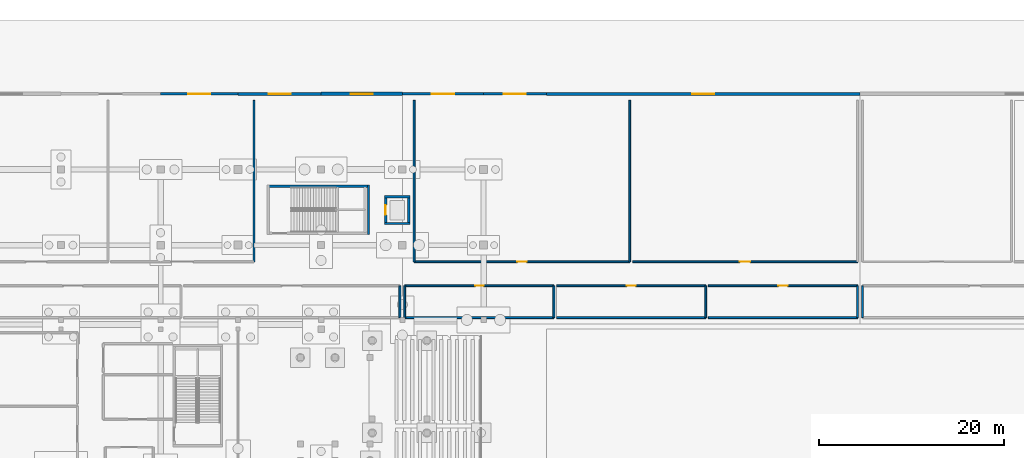
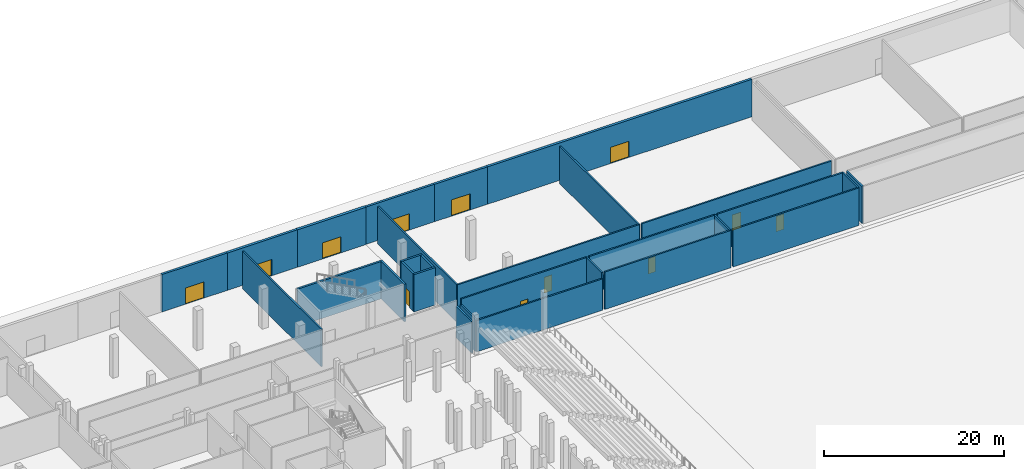
# One storey, part 47 of 89: 29 walls, 12 doors, 12 openings.
"""IFC4 building model written with IfcOpenShell, lengths in metres."""

from ifc_helpers import new_model, si_unit, direction, frame, frame_2d, origin, place, context, subcontext, project, spatial, rectangle, extrude, material, layer, layer_set, type_object, element, fill, save


model = new_model("IFC4")

# Units and contexts
model_context = context("Model", 3, precision=1e-05, world=origin(), true_north=direction((0.0, 1.0)))
body_context = subcontext(model_context, "Body", "Model", "MODEL_VIEW")
ifc_project = project(units=[si_unit("LENGTHUNIT", "METRE"), si_unit("AREAUNIT", "SQUARE_METRE"), si_unit("VOLUMEUNIT", "CUBIC_METRE"), si_unit("PLANEANGLEUNIT", "RADIAN"), si_unit("MASSUNIT", "GRAM", prefix="KILO")], contexts=[model_context])

# Site, building, storey
site_placement = place(None, origin())
site = spatial("IfcSite", under=ifc_project, at=site_placement, CompositionType="ELEMENT")
building_placement = place(site_placement, origin())
building = spatial("IfcBuilding", under=site, at=building_placement, Name="Koshinbarg Plaza Stadium", CompositionType="ELEMENT")
storey_placement = place(building_placement, origin())
storey = spatial("IfcBuildingStorey", under=building, at=storey_placement, Name="L00", CompositionType="ELEMENT", Elevation=0.0)

# Walls
ifc_material_1 = material(Name="Concrete C40/50", Category="concrete")
ifc_layer_1 = layer(ifc_material_1, 0.25)
ifc_layer_set_1 = layer_set([ifc_layer_1], Name="Concrete C40/50")
wall_type_1 = type_object("IfcWallType", Name="WL-CORE-250", PredefinedType="SHEAR", material=ifc_layer_set_1)
wall_1_placement = place(storey_placement, frame((68.72509765625, 136.75, 0.0), z_axis=(0.0, 0.0, 1.0), x_axis=(0.0, 1.0, 0.0)))
element("IfcWall", 1, at=wall_1_placement, inside=storey, type_object=wall_type_1, Name="L00 core stair shear wall C11-far IWL-L00-0259", PredefinedType="SHEAR", context=body_context, shape_type="SweptSolid", body=[
    extrude(rectangle(XDim=5.3701171875, YDim=0.25, at=frame_2d((2.68505859375, 0.0))), origin(), (0.0, 0.0, 1.0), 5.080078125),
])
wall_2_placement = place(storey_placement, frame((57.875, 141.9951171875, 0.0), z_axis=(0.0, 0.0, 1.0), x_axis=(1.0, 0.0, 0.0)))
element("IfcWall", 2, at=wall_2_placement, inside=storey, type_object=wall_type_1, Name="L00 core stair shear wall C11-left IWL-L00-0260", PredefinedType="SHEAR", context=body_context, shape_type="SweptSolid", body=[
    extrude(rectangle(XDim=10.85009765625, YDim=0.25, at=frame_2d((5.425048828125, 0.0))), origin(), (0.0, 0.0, 1.0), 5.080078125),
])
for number, where, z_axis, x_axis, name in (
    (3, (70.47509765625, 137.949951171875, 0.0), (0.0, 0.0, 1.0), (1.0, 0.0, 0.0), "L00 lift shaft shear wall LP07-S IWL-L00-0958"),
    (4, (73.22509765625, 140.85009765625, 0.0), (0.0, 0.0, 1.0), (-1.0, 0.0, 0.0), "L00 lift shaft shear wall LP07-N IWL-L00-0959"),
):
    element("IfcWall", number, at=place(storey_placement, frame(where, z_axis=z_axis, x_axis=x_axis)), inside=storey, type_object=wall_type_1, Name=name, PredefinedType="SHEAR", context=body_context, shape_type="SweptSolid", body=[
        extrude(rectangle(XDim=2.75, YDim=0.25, at=frame_2d((1.375, 0.0))), origin(), (0.0, 0.0, 1.0), 5.080078125),
    ])

# Wall, opening, door
wall_3_placement = place(storey_placement, frame((70.60009765625, 140.85009765625, 0.0), z_axis=(0.0, 0.0, 1.0), x_axis=(0.0, -1.0, 0.0)))
wall_3 = element("IfcWall", 5, at=wall_3_placement, inside=storey, type_object=wall_type_1, Name="L00 lift shaft shear wall LP07-W IWL-L00-0960", PredefinedType="SHEAR", context=body_context, shape_type="SweptSolid", body=[
    extrude(rectangle(XDim=2.900146484375, YDim=0.25, at=frame_2d((1.4501953125, 0.0))), origin(), (0.0, 0.0, 1.0), 5.080078125),
])
opening_1_placement = place(wall_3_placement, frame((0.925048828125, 0.0, 0.0)))
opening_1 = element("IfcOpeningElement", 6, at=opening_1_placement, cuts=wall_3, Name="Opening D-0309", PredefinedType="OPENING", context=body_context, shape_type="SweptSolid", body=[
    extrude(rectangle(XDim=1.050048828125, YDim=2.14990234375, at=frame_2d((0.52490234375, 1.074951171875))), frame((0.0, 0.135009765625, 0.0), z_axis=(0.0, -1.0, 0.0), x_axis=(1.0, 0.0, 0.0)), (0.0, 0.0, 1.0), 0.27001953125),
])
ifc_material_2 = material(Name="Brushed stainless steel sliding lift landing door", Category="steel")
door_type_1 = type_object("IfcDoorType", Name="DR-LIFT-1050", OperationType="NOTDEFINED", PredefinedType="DOOR", material=ifc_material_2)
door_1_placement = place(opening_1_placement, origin())
door_1 = element("IfcDoor", 7, at=door_1_placement, inside=storey, type_object=door_type_1, Name="L00 lift landing door LP07", OperationType="SLIDING_TO_RIGHT", OverallHeight=2.14990234375, OverallWidth=1.050048828125, PredefinedType="DOOR", context=body_context, shape_type="SweptSolid", body=[
    extrude(rectangle(XDim=1.050048828125, YDim=2.14990234375, at=frame_2d((0.52490234375, 1.074951171875))), frame((0.0, 0.02490234375, 0.0), z_axis=(0.0, -1.0, 0.0), x_axis=(1.0, 0.0, 0.0)), (0.0, 0.0, 1.0), 0.050048828125),
])
fill(opening_1, door_1)

# Wall
wall_4_placement = place(storey_placement, frame((73.10009765625, 137.949951171875, 0.0), z_axis=(0.0, 0.0, 1.0), x_axis=(0.0, 1.0, 0.0)))
element("IfcWall", 8, at=wall_4_placement, inside=storey, type_object=wall_type_1, Name="L00 lift shaft shear wall LP07-E IWL-L00-0961", PredefinedType="SHEAR", context=body_context, shape_type="SweptSolid", body=[
    extrude(rectangle(XDim=2.900146484375, YDim=0.25, at=frame_2d((1.4501953125, 0.0))), origin(), (0.0, 0.0, 1.0), 5.080078125),
])

# Wall, opening, door
ifc_material_3 = material(Name="Terracotta-ochre mineral plaster insulated wall", Category="masonry")
ifc_layer_2 = layer(ifc_material_3, 0.280029296875)
ifc_layer_set_2 = layer_set([ifc_layer_2], Name="Terracotta-ochre mineral plaster insulated wall")
wall_type_2 = type_object("IfcWallType", Name="WL-EXT-280", PredefinedType="SOLIDWALL", material=ifc_layer_set_2)
wall_5_placement = place(storey_placement, frame((72.39990234375, 152.0, 0.0), z_axis=(0.0, 0.0, 1.0), x_axis=(1.0, 0.0, 0.0)))
wall_5 = element("IfcWall", 9, at=wall_5_placement, inside=storey, type_object=wall_type_2, Name="L00 exterior envelope wall EWL-L00-0024", PredefinedType="SOLIDWALL", context=body_context, shape_type="SweptSolid", body=[
    extrude(rectangle(XDim=8.800048828125, YDim=0.280029296875, at=frame_2d((4.39990234375, 0.0))), origin(), (0.0, 0.0, 1.0), 5.080078125),
])
opening_2_placement = place(wall_5_placement, frame((3.199951171875, 0.0, 0.0)))
opening_2 = element("IfcOpeningElement", 10, at=opening_2_placement, cuts=wall_5, Name="Opening D-0025", PredefinedType="OPENING", context=body_context, shape_type="SweptSolid", body=[
    extrude(rectangle(XDim=2.39990234375, YDim=2.199951171875, at=frame_2d((1.199951171875, 1.10009765625))), frame((0.0, 0.14990234375, 0.0), z_axis=(0.0, -1.0, 0.0), x_axis=(1.0, 0.0, 0.0)), (0.0, 0.0, 1.0), 0.300048828125),
])
ifc_material_4 = material(Name="Anodised aluminium thermally broken exit door", Category="aluminium")
door_type_2 = type_object("IfcDoorType", Name="DR-EXIT-2400", OperationType="NOTDEFINED", PredefinedType="DOOR", material=ifc_material_4)
door_2_placement = place(opening_2_placement, origin())
door_2 = element("IfcDoor", 11, at=door_2_placement, inside=storey, type_object=door_type_2, Name="Main exit E24", OperationType="DOUBLE_DOOR_SINGLE_SWING", OverallHeight=2.199951171875, OverallWidth=2.39990234375, PredefinedType="DOOR", context=body_context, shape_type="SweptSolid", body=[
    extrude(rectangle(XDim=2.39990234375, YDim=2.199951171875, at=frame_2d((1.199951171875, 1.10009765625))), frame((0.0, 0.02490234375, 0.0), z_axis=(0.0, -1.0, 0.0), x_axis=(1.0, 0.0, 0.0)), (0.0, 0.0, 1.0), 0.050048828125),
])
fill(opening_2, door_2)

ifc_material_5 = material(Name="Off-white mineral plaster insulated wall", Category="masonry")
ifc_layer_3 = layer(ifc_material_5, 0.300048828125)
ifc_layer_set_3 = layer_set([ifc_layer_3], Name="Off-white mineral plaster insulated wall")
wall_type_3 = type_object("IfcWallType", Name="WL-EXT-300", PredefinedType="SOLIDWALL", material=ifc_layer_set_3)
wall_6_placement = place(storey_placement, frame((46.199951171875, 152.0, 0.0), z_axis=(0.0, 0.0, 1.0), x_axis=(1.0, 0.0, 0.0)))
wall_6 = element("IfcWall", 12, at=wall_6_placement, inside=storey, type_object=wall_type_3, Name="L00 exterior envelope wall EWL-L00-0021", PredefinedType="SOLIDWALL", context=body_context, shape_type="SweptSolid", body=[
    extrude(rectangle(XDim=8.400146484375, YDim=0.300048828125, at=frame_2d((4.2001953125, 0.0))), origin(), (0.0, 0.0, 1.0), 5.080078125),
])
opening_3_placement = place(wall_6_placement, frame((3.0, 0.0, 0.0)))
opening_3 = element("IfcOpeningElement", 13, at=opening_3_placement, cuts=wall_6, Name="Opening D-0022", PredefinedType="OPENING", context=body_context, shape_type="SweptSolid", body=[
    extrude(rectangle(XDim=2.39990234375, YDim=2.199951171875, at=frame_2d((1.199951171875, 1.10009765625))), frame((0.0, 0.159912109375, 0.0), z_axis=(0.0, -1.0, 0.0), x_axis=(1.0, 0.0, 0.0)), (0.0, 0.0, 1.0), 0.320068359375),
])
door_3_placement = place(opening_3_placement, origin())
door_3 = element("IfcDoor", 14, at=door_3_placement, inside=storey, type_object=door_type_2, Name="Main exit E21", OperationType="DOUBLE_DOOR_SINGLE_SWING", OverallHeight=2.199951171875, OverallWidth=2.39990234375, PredefinedType="DOOR", context=body_context, shape_type="SweptSolid", body=[
    extrude(rectangle(XDim=2.39990234375, YDim=2.199951171875, at=frame_2d((1.199951171875, 1.10009765625))), frame((0.0, 0.02490234375, 0.0), z_axis=(0.0, -1.0, 0.0), x_axis=(1.0, 0.0, 0.0)), (0.0, 0.0, 1.0), 0.050048828125),
])
fill(opening_3, door_3)

wall_7_placement = place(storey_placement, frame((81.199951171875, 152.0, 0.0), z_axis=(0.0, 0.0, 1.0), x_axis=(1.0, 0.0, 0.0)))
wall_7 = element("IfcWall", 15, at=wall_7_placement, inside=storey, type_object=wall_type_3, Name="L00 exterior envelope wall EWL-L00-0025", PredefinedType="SOLIDWALL", context=body_context, shape_type="SweptSolid", body=[
    extrude(rectangle(XDim=6.800048828125, YDim=0.300048828125, at=frame_2d((3.39990234375, 0.0))), origin(), (0.0, 0.0, 1.0), 5.080078125),
])
opening_4_placement = place(wall_7_placement, frame((2.199951171875, 0.0, 0.0)))
opening_4 = element("IfcOpeningElement", 16, at=opening_4_placement, cuts=wall_7, Name="Opening D-0026", PredefinedType="OPENING", context=body_context, shape_type="SweptSolid", body=[
    extrude(rectangle(XDim=2.39990234375, YDim=2.199951171875, at=frame_2d((1.199951171875, 1.10009765625))), frame((0.0, 0.159912109375, 0.0), z_axis=(0.0, -1.0, 0.0), x_axis=(1.0, 0.0, 0.0)), (0.0, 0.0, 1.0), 0.320068359375),
])
door_4_placement = place(opening_4_placement, origin())
door_4 = element("IfcDoor", 17, at=door_4_placement, inside=storey, type_object=door_type_2, Name="Main exit E25", OperationType="DOUBLE_DOOR_SINGLE_SWING", OverallHeight=2.199951171875, OverallWidth=2.39990234375, PredefinedType="DOOR", context=body_context, shape_type="SweptSolid", body=[
    extrude(rectangle(XDim=2.39990234375, YDim=2.199951171875, at=frame_2d((1.199951171875, 1.10009765625))), frame((0.0, 0.02490234375, 0.0), z_axis=(0.0, -1.0, 0.0), x_axis=(1.0, 0.0, 0.0)), (0.0, 0.0, 1.0), 0.050048828125),
])
fill(opening_4, door_4)

ifc_material_6 = material(Name="Ultramarine-blue pigmented mineral plaster facade wall", Category="masonry")
ifc_layer_4 = layer(ifc_material_6, 0.320068359375)
ifc_layer_set_4 = layer_set([ifc_layer_4], Name="Ultramarine-blue pigmented mineral plaster facade wall")
wall_type_4 = type_object("IfcWallType", Name="WL-EXT-320", PredefinedType="SOLIDWALL", material=ifc_layer_set_4)
wall_8_placement = place(storey_placement, frame((54.60009765625, 152.0, 0.0), z_axis=(0.0, 0.0, 1.0), x_axis=(1.0, 0.0, 0.0)))
wall_8 = element("IfcWall", 18, at=wall_8_placement, inside=storey, type_object=wall_type_4, Name="L00 exterior envelope wall EWL-L00-0022", PredefinedType="SOLIDWALL", context=body_context, shape_type="SweptSolid", body=[
    extrude(rectangle(XDim=9.0, YDim=0.320068359375, at=frame_2d((4.5, 0.0))), origin(), (0.0, 0.0, 1.0), 5.080078125),
])
opening_5_placement = place(wall_8_placement, frame((3.300048828125, 0.0, 0.0)))
opening_5 = element("IfcOpeningElement", 19, at=opening_5_placement, cuts=wall_8, Name="Opening D-0023", PredefinedType="OPENING", context=body_context, shape_type="SweptSolid", body=[
    extrude(rectangle(XDim=2.39990234375, YDim=2.199951171875, at=frame_2d((1.199951171875, 1.10009765625))), frame((0.0, 0.169921875, 0.0), z_axis=(0.0, -1.0, 0.0), x_axis=(1.0, 0.0, 0.0)), (0.0, 0.0, 1.0), 0.340087890625),
])
door_5_placement = place(opening_5_placement, origin())
door_5 = element("IfcDoor", 20, at=door_5_placement, inside=storey, type_object=door_type_2, Name="Main exit E22", OperationType="DOUBLE_DOOR_SINGLE_SWING", OverallHeight=2.199951171875, OverallWidth=2.39990234375, PredefinedType="DOOR", context=body_context, shape_type="SweptSolid", body=[
    extrude(rectangle(XDim=2.39990234375, YDim=2.199951171875, at=frame_2d((1.199951171875, 1.10009765625))), frame((0.0, 0.02490234375, 0.0), z_axis=(0.0, -1.0, 0.0), x_axis=(1.0, 0.0, 0.0)), (0.0, 0.0, 1.0), 0.050048828125),
])
fill(opening_5, door_5)

wall_9_placement = place(storey_placement, frame((88.0, 152.0, 0.0), z_axis=(0.0, 0.0, 1.0), x_axis=(1.0, 0.0, 0.0)))
wall_9 = element("IfcWall", 21, at=wall_9_placement, inside=storey, type_object=wall_type_4, Name="L00 exterior envelope wall EWL-L00-0026", PredefinedType="SOLIDWALL", context=body_context, shape_type="SweptSolid", body=[
    extrude(rectangle(XDim=34.0, YDim=0.320068359375, at=frame_2d((17.0, 0.0))), origin(), (0.0, 0.0, 1.0), 5.080078125),
])
opening_6_placement = place(wall_9_placement, frame((15.800048828125, 0.0, 0.0)))
opening_6 = element("IfcOpeningElement", 22, at=opening_6_placement, cuts=wall_9, Name="Opening D-0027", PredefinedType="OPENING", context=body_context, shape_type="SweptSolid", body=[
    extrude(rectangle(XDim=2.39990234375, YDim=2.199951171875, at=frame_2d((1.199951171875, 1.10009765625))), frame((0.0, 0.169921875, 0.0), z_axis=(0.0, -1.0, 0.0), x_axis=(1.0, 0.0, 0.0)), (0.0, 0.0, 1.0), 0.340087890625),
])
door_6_placement = place(opening_6_placement, origin())
door_6 = element("IfcDoor", 23, at=door_6_placement, inside=storey, type_object=door_type_2, Name="Main exit E26", OperationType="DOUBLE_DOOR_SINGLE_SWING", OverallHeight=2.199951171875, OverallWidth=2.39990234375, PredefinedType="DOOR", context=body_context, shape_type="SweptSolid", body=[
    extrude(rectangle(XDim=2.39990234375, YDim=2.199951171875, at=frame_2d((1.199951171875, 1.10009765625))), frame((0.0, 0.02490234375, 0.0), z_axis=(0.0, -1.0, 0.0), x_axis=(1.0, 0.0, 0.0)), (0.0, 0.0, 1.0), 0.050048828125),
])
fill(opening_6, door_6)

ifc_material_7 = material(Name="Acoustic insulated masonry stadium wall", Category="masonry")
ifc_layer_5 = layer(ifc_material_7, 0.35009765625)
ifc_layer_set_5 = layer_set([ifc_layer_5], Name="Acoustic insulated masonry stadium wall")
wall_type_5 = type_object("IfcWallType", Name="WL-EXT-350", PredefinedType="SOLIDWALL", material=ifc_layer_set_5)
wall_10_placement = place(storey_placement, frame((63.60009765625, 152.0, 0.0), z_axis=(0.0, 0.0, 1.0), x_axis=(1.0, 0.0, 0.0)))
wall_10 = element("IfcWall", 24, at=wall_10_placement, inside=storey, type_object=wall_type_5, Name="L00 exterior envelope wall EWL-L00-0023", PredefinedType="SOLIDWALL", context=body_context, shape_type="SweptSolid", body=[
    extrude(rectangle(XDim=8.7998046875, YDim=0.35009765625, at=frame_2d((4.39990234375, 0.0))), origin(), (0.0, 0.0, 1.0), 5.080078125),
])
opening_7_placement = place(wall_10_placement, frame((3.199951171875, 0.0, 0.0)))
opening_7 = element("IfcOpeningElement", 25, at=opening_7_placement, cuts=wall_10, Name="Opening D-0024", PredefinedType="OPENING", context=body_context, shape_type="SweptSolid", body=[
    extrude(rectangle(XDim=2.39990234375, YDim=2.199951171875, at=frame_2d((1.199951171875, 1.10009765625))), frame((0.0, 0.18505859375, 0.0), z_axis=(0.0, -1.0, 0.0), x_axis=(1.0, 0.0, 0.0)), (0.0, 0.0, 1.0), 0.3701171875),
])
door_7_placement = place(opening_7_placement, origin())
door_7 = element("IfcDoor", 26, at=door_7_placement, inside=storey, type_object=door_type_2, Name="Main exit E23", OperationType="DOUBLE_DOOR_SINGLE_SWING", OverallHeight=2.199951171875, OverallWidth=2.39990234375, PredefinedType="DOOR", context=body_context, shape_type="SweptSolid", body=[
    extrude(rectangle(XDim=2.39990234375, YDim=2.199951171875, at=frame_2d((1.199951171875, 1.10009765625))), frame((0.0, 0.02490234375, 0.0), z_axis=(0.0, -1.0, 0.0), x_axis=(1.0, 0.0, 0.0)), (0.0, 0.0, 1.0), 0.050048828125),
])
fill(opening_7, door_7)

# Walls
ifc_material_8 = material(Name="Autoclaved aerated blockwork fire partition", Category="masonry")
ifc_layer_6 = layer(ifc_material_8, 0.199951171875)
ifc_layer_set_6 = layer_set([ifc_layer_6], Name="Autoclaved aerated blockwork fire partition")
wall_type_6 = type_object("IfcWallType", Name="WL-PART-200", PredefinedType="PARTITIONING", material=ifc_layer_set_6)
wall_11_placement = place(storey_placement, frame((72.1298828125, 127.7451171875, 0.0), z_axis=(0.0, 0.0, 1.0), x_axis=(0.0, 1.0, 0.0)))
element("IfcWall", 27, at=wall_11_placement, inside=storey, type_object=wall_type_6, Name="L00 interior partition L00-113-east IWL-L00-1177", PredefinedType="PARTITIONING", context=body_context, shape_type="SweptSolid", body=[
    extrude(rectangle(XDim=3.454833984375, YDim=0.199951171875, at=frame_2d((1.7275390625, 0.0))), origin(), (0.0, 0.0, 1.0), 4.31005859375),
])
wall_12_placement = place(storey_placement, frame((56.318359375, 133.800048828125, 0.0), z_axis=(0.0, 0.0, 1.0), x_axis=(0.0, 1.0, 0.0)))
element("IfcWall", 28, at=wall_12_placement, inside=storey, type_object=wall_type_6, Name="L00 interior partition L00-115-east IWL-L00-1183", PredefinedType="PARTITIONING", context=body_context, shape_type="SweptSolid", body=[
    extrude(rectangle(XDim=17.5, YDim=0.199951171875, at=frame_2d((8.75, 0.0))), origin(), (0.0, 0.0, 1.0), 5.080078125),
])
wall_13_placement = place(storey_placement, frame((72.669921875, 127.7451171875, 0.0), z_axis=(0.0, 0.0, 1.0), x_axis=(1.0, 0.0, 0.0)))
element("IfcWall", 29, at=wall_13_placement, inside=storey, type_object=wall_type_6, Name="L00 interior partition L00-116-south IWL-L00-1184", PredefinedType="PARTITIONING", context=body_context, shape_type="SweptSolid", body=[
    extrude(rectangle(XDim=16.1533203125, YDim=0.199951171875, at=frame_2d((8.07666015625, 0.0))), origin(), (0.0, 0.0, 1.0), 4.260009765625),
])
wall_14_placement = place(storey_placement, frame((88.8232421875, 127.7451171875, 0.0), z_axis=(0.0, 0.0, 1.0), x_axis=(0.0, 1.0, 0.0)))
element("IfcWall", 30, at=wall_14_placement, inside=storey, type_object=wall_type_6, Name="L00 interior partition L00-116-east IWL-L00-1185", PredefinedType="PARTITIONING", context=body_context, shape_type="SweptSolid", body=[
    extrude(rectangle(XDim=3.454833984375, YDim=0.199951171875, at=frame_2d((1.7275390625, 0.0))), origin(), (0.0, 0.0, 1.0), 5.080078125),
])

# Wall, opening, door
wall_15_placement = place(storey_placement, frame((88.8232421875, 131.199951171875, 0.0), z_axis=(0.0, 0.0, 1.0), x_axis=(-1.0, 0.0, 0.0)))
wall_15 = element("IfcWall", 31, at=wall_15_placement, inside=storey, type_object=wall_type_6, Name="L00 interior partition L00-116-north IWL-L00-1186", PredefinedType="PARTITIONING", context=body_context, shape_type="SweptSolid", body=[
    extrude(rectangle(XDim=16.1533203125, YDim=0.199951171875, at=frame_2d((8.07666015625, 0.0))), origin(), (0.0, 0.0, 1.0), 5.080078125),
])
opening_8_placement = place(wall_15_placement, frame((7.61669921875, 0.0, 0.0)))
opening_8 = element("IfcOpeningElement", 32, at=opening_8_placement, cuts=wall_15, Name="Opening D-0385", PredefinedType="OPENING", context=body_context, shape_type="SweptSolid", body=[
    extrude(rectangle(XDim=0.919921875, YDim=2.10009765625, at=frame_2d((0.4599609375, 1.050048828125))), frame((0.0, 0.10986328125, 0.0), z_axis=(0.0, -1.0, 0.0), x_axis=(1.0, 0.0, 0.0)), (0.0, 0.0, 1.0), 0.219970703125),
])
ifc_material_9 = material(Name="Solid-core oak veneer acoustic door")
door_type_3 = type_object("IfcDoorType", Name="DR-INT-0920x2100", OperationType="NOTDEFINED", PredefinedType="DOOR", material=ifc_material_9)
door_8_placement = place(opening_8_placement, origin())
door_8 = element("IfcDoor", 33, at=door_8_placement, inside=storey, type_object=door_type_3, Name="L00 Supporters' Bookshop door D-0385", OperationType="SINGLE_SWING_LEFT", OverallHeight=2.10009765625, OverallWidth=0.919921875, PredefinedType="DOOR", context=body_context, shape_type="SweptSolid", body=[
    extrude(rectangle(XDim=0.919921875, YDim=2.10009765625, at=frame_2d((0.4599609375, 1.050048828125))), frame((0.0, 0.02490234375, 0.0), z_axis=(0.0, -1.0, 0.0), x_axis=(1.0, 0.0, 0.0)), (0.0, 0.0, 1.0), 0.050048828125),
])
fill(opening_8, door_8)

# Walls
wall_16_placement = place(storey_placement, frame((72.669921875, 131.199951171875, 0.0), z_axis=(0.0, 0.0, 1.0), x_axis=(0.0, -1.0, 0.0)))
element("IfcWall", 34, at=wall_16_placement, inside=storey, type_object=wall_type_6, Name="L00 interior partition L00-116-west IWL-L00-1187", PredefinedType="PARTITIONING", context=body_context, shape_type="SweptSolid", body=[
    extrude(rectangle(XDim=3.454833984375, YDim=0.199951171875, at=frame_2d((1.7275390625, 0.0))), origin(), (0.0, 0.0, 1.0), 4.31005859375),
])
wall_17_placement = place(storey_placement, frame((89.123291015625, 127.7451171875, 0.0), z_axis=(0.0, 0.0, 1.0), x_axis=(1.0, 0.0, 0.0)))
element("IfcWall", 35, at=wall_17_placement, inside=storey, type_object=wall_type_6, Name="L00 interior partition L00-117-south IWL-L00-1188", PredefinedType="PARTITIONING", context=body_context, shape_type="SweptSolid", body=[
    extrude(rectangle(XDim=16.1533203125, YDim=0.199951171875, at=frame_2d((8.07666015625, 0.0))), origin(), (0.0, 0.0, 1.0), 5.080078125),
])
wall_18_placement = place(storey_placement, frame((105.276611328125, 127.7451171875, 0.0), z_axis=(0.0, 0.0, 1.0), x_axis=(0.0, 1.0, 0.0)))
element("IfcWall", 36, at=wall_18_placement, inside=storey, type_object=wall_type_6, Name="L00 interior partition L00-117-east IWL-L00-1189", PredefinedType="PARTITIONING", context=body_context, shape_type="SweptSolid", body=[
    extrude(rectangle(XDim=3.454833984375, YDim=0.199951171875, at=frame_2d((1.7275390625, 0.0))), origin(), (0.0, 0.0, 1.0), 5.080078125),
])

# Wall, opening, door
wall_19_placement = place(storey_placement, frame((105.276611328125, 131.199951171875, 0.0), z_axis=(0.0, 0.0, 1.0), x_axis=(-1.0, 0.0, 0.0)))
wall_19 = element("IfcWall", 37, at=wall_19_placement, inside=storey, type_object=wall_type_6, Name="L00 interior partition L00-117-north IWL-L00-1190", PredefinedType="PARTITIONING", context=body_context, shape_type="SweptSolid", body=[
    extrude(rectangle(XDim=16.1533203125, YDim=0.199951171875, at=frame_2d((8.07666015625, 0.0))), origin(), (0.0, 0.0, 1.0), 5.080078125),
])
opening_9_placement = place(wall_19_placement, frame((7.5966796875, 0.0, 0.0)))
opening_9 = element("IfcOpeningElement", 38, at=opening_9_placement, cuts=wall_19, Name="Opening D-0386", PredefinedType="OPENING", context=body_context, shape_type="SweptSolid", body=[
    extrude(rectangle(XDim=0.9599609375, YDim=2.10009765625, at=frame_2d((0.47998046875, 1.050048828125))), frame((0.0, 0.10986328125, 0.0), z_axis=(0.0, -1.0, 0.0), x_axis=(1.0, 0.0, 0.0)), (0.0, 0.0, 1.0), 0.219970703125),
])
door_type_4 = type_object("IfcDoorType", Name="DR-INT-0960x2100", OperationType="NOTDEFINED", PredefinedType="DOOR", material=ifc_material_9)
door_9_placement = place(opening_9_placement, origin())
door_9 = element("IfcDoor", 39, at=door_9_placement, inside=storey, type_object=door_type_4, Name="L00 Sports Museum Hall door D-0386", OperationType="SINGLE_SWING_RIGHT", OverallHeight=2.10009765625, OverallWidth=0.9599609375, PredefinedType="DOOR", context=body_context, shape_type="SweptSolid", body=[
    extrude(rectangle(XDim=0.9599609375, YDim=2.10009765625, at=frame_2d((0.47998046875, 1.050048828125))), frame((0.0, 0.02490234375, 0.0), z_axis=(0.0, -1.0, 0.0), x_axis=(1.0, 0.0, 0.0)), (0.0, 0.0, 1.0), 0.050048828125),
])
fill(opening_9, door_9)

# Walls
wall_20_placement = place(storey_placement, frame((105.57666015625, 127.7451171875, 0.0), z_axis=(0.0, 0.0, 1.0), x_axis=(1.0, 0.0, 0.0)))
element("IfcWall", 40, at=wall_20_placement, inside=storey, type_object=wall_type_6, Name="L00 interior partition L00-118-south IWL-L00-1191", PredefinedType="PARTITIONING", context=body_context, shape_type="SweptSolid", body=[
    extrude(rectangle(XDim=16.1533203125, YDim=0.199951171875, at=frame_2d((8.07666015625, 0.0))), origin(), (0.0, 0.0, 1.0), 5.080078125),
])
wall_21_placement = place(storey_placement, frame((121.72998046875, 127.7451171875, 0.0), z_axis=(0.0, 0.0, 1.0), x_axis=(0.0, 1.0, 0.0)))
element("IfcWall", 41, at=wall_21_placement, inside=storey, type_object=wall_type_6, Name="L00 interior partition L00-118-east IWL-L00-1192", PredefinedType="PARTITIONING", context=body_context, shape_type="SweptSolid", body=[
    extrude(rectangle(XDim=3.454833984375, YDim=0.199951171875, at=frame_2d((1.7275390625, 0.0))), origin(), (0.0, 0.0, 1.0), 5.080078125),
])

# Wall, opening, door
wall_22_placement = place(storey_placement, frame((121.72998046875, 131.199951171875, 0.0), z_axis=(0.0, 0.0, 1.0), x_axis=(-1.0, 0.0, 0.0)))
wall_22 = element("IfcWall", 42, at=wall_22_placement, inside=storey, type_object=wall_type_6, Name="L00 interior partition L00-118-north IWL-L00-1193", PredefinedType="PARTITIONING", context=body_context, shape_type="SweptSolid", body=[
    extrude(rectangle(XDim=16.1533203125, YDim=0.199951171875, at=frame_2d((8.07666015625, 0.0))), origin(), (0.0, 0.0, 1.0), 5.080078125),
])
opening_10_placement = place(wall_22_placement, frame((7.57666015625, 0.0, 0.0)))
opening_10 = element("IfcOpeningElement", 43, at=opening_10_placement, cuts=wall_22, Name="Opening D-0387", PredefinedType="OPENING", context=body_context, shape_type="SweptSolid", body=[
    extrude(rectangle(XDim=1.0, YDim=2.10009765625, at=frame_2d((0.5, 1.050048828125))), frame((0.0, 0.10986328125, 0.0), z_axis=(0.0, -1.0, 0.0), x_axis=(1.0, 0.0, 0.0)), (0.0, 0.0, 1.0), 0.219970703125),
])
ifc_material_10 = material(Name="Solid-core laminate accessible WC door")
door_type_5 = type_object("IfcDoorType", Name="DR-INT-1000x2100", OperationType="NOTDEFINED", PredefinedType="DOOR", material=ifc_material_10)
door_10_placement = place(opening_10_placement, origin())
door_10 = element("IfcDoor", 44, at=door_10_placement, inside=storey, type_object=door_type_5, Name="L00 North Gate Ticketing Foyer door D-0387", OperationType="SINGLE_SWING_LEFT", OverallHeight=2.10009765625, OverallWidth=1.0, PredefinedType="DOOR", context=body_context, shape_type="SweptSolid", body=[
    extrude(rectangle(XDim=1.0, YDim=2.10009765625, at=frame_2d((0.5, 1.050048828125))), frame((0.0, 0.02490234375, 0.0), z_axis=(0.0, -1.0, 0.0), x_axis=(1.0, 0.0, 0.0)), (0.0, 0.0, 1.0), 0.050048828125),
])
fill(opening_10, door_10)

wall_23_placement = place(storey_placement, frame((73.679931640625, 133.800048828125, 0.0), z_axis=(0.0, 0.0, 1.0), x_axis=(1.0, 0.0, 0.0)))
wall_23 = element("IfcWall", 45, at=wall_23_placement, inside=storey, type_object=wall_type_6, Name="L00 interior partition L00-119-south IWL-L00-1194", PredefinedType="PARTITIONING", context=body_context, shape_type="SweptSolid", body=[
    extrude(rectangle(XDim=23.3701171875, YDim=0.199951171875, at=frame_2d((11.68505859375, 0.0))), origin(), (0.0, 0.0, 1.0), 5.080078125),
])
opening_11_placement = place(wall_23_placement, frame((11.159912109375, 0.0, 0.0)))
opening_11 = element("IfcOpeningElement", 46, at=opening_11_placement, cuts=wall_23, Name="Opening D-0388", PredefinedType="OPENING", context=body_context, shape_type="SweptSolid", body=[
    extrude(rectangle(XDim=1.050048828125, YDim=2.14990234375, at=frame_2d((0.52490234375, 1.074951171875))), frame((0.0, 0.10986328125, 0.0), z_axis=(0.0, -1.0, 0.0), x_axis=(1.0, 0.0, 0.0)), (0.0, 0.0, 1.0), 0.219970703125),
])
ifc_material_11 = material(Name="Solid-core oak suite entrance door")
door_type_6 = type_object("IfcDoorType", Name="DR-INT-1050x2150", OperationType="NOTDEFINED", PredefinedType="DOOR", material=ifc_material_11)
door_11_placement = place(opening_11_placement, origin())
door_11 = element("IfcDoor", 47, at=door_11_placement, inside=storey, type_object=door_type_6, Name="L00 Sports Museum Hall door D-0388", OperationType="SINGLE_SWING_RIGHT", OverallHeight=2.14990234375, OverallWidth=1.050048828125, PredefinedType="DOOR", context=body_context, shape_type="SweptSolid", body=[
    extrude(rectangle(XDim=1.050048828125, YDim=2.14990234375, at=frame_2d((0.52490234375, 1.074951171875))), frame((0.0, 0.02490234375, 0.0), z_axis=(0.0, -1.0, 0.0), x_axis=(1.0, 0.0, 0.0)), (0.0, 0.0, 1.0), 0.050048828125),
])
fill(opening_11, door_11)

# Walls
for number, where, z_axis, x_axis, name in (
    (48, (97.050048828125, 133.800048828125, 0.0), (0.0, 0.0, 1.0), (0.0, 1.0, 0.0), "L00 interior partition L00-119-east IWL-L00-1195"),
    (49, (73.679931640625, 151.300048828125, 0.0), (0.0, 0.0, 1.0), (0.0, -1.0, 0.0), "L00 interior partition L00-119-west IWL-L00-1196"),
):
    element("IfcWall", number, at=place(storey_placement, frame(where, z_axis=z_axis, x_axis=x_axis)), inside=storey, type_object=wall_type_6, Name=name, PredefinedType="PARTITIONING", context=body_context, shape_type="SweptSolid", body=[
        extrude(rectangle(XDim=17.5, YDim=0.199951171875, at=frame_2d((8.75, 0.0))), origin(), (0.0, 0.0, 1.0), 5.080078125),
    ])

# Wall, opening, door
wall_24_placement = place(storey_placement, frame((97.35009765625, 133.800048828125, 0.0), z_axis=(0.0, 0.0, 1.0), x_axis=(1.0, 0.0, 0.0)))
wall_24 = element("IfcWall", 50, at=wall_24_placement, inside=storey, type_object=wall_type_6, Name="L00 interior partition L00-120-south IWL-L00-1197", PredefinedType="PARTITIONING", context=body_context, shape_type="SweptSolid", body=[
    extrude(rectangle(XDim=24.3798828125, YDim=0.199951171875, at=frame_2d((12.18994140625, 0.0))), origin(), (0.0, 0.0, 1.0), 5.080078125),
])
opening_12_placement = place(wall_24_placement, frame((11.6298828125, 0.0, 0.0)))
opening_12 = element("IfcOpeningElement", 51, at=opening_12_placement, cuts=wall_24, Name="Opening D-0389", PredefinedType="OPENING", context=body_context, shape_type="SweptSolid", body=[
    extrude(rectangle(XDim=1.1201171875, YDim=2.14990234375, at=frame_2d((0.56005859375, 1.074951171875))), frame((0.0, 0.10986328125, 0.0), z_axis=(0.0, -1.0, 0.0), x_axis=(1.0, 0.0, 0.0)), (0.0, 0.0, 1.0), 0.219970703125),
])
ifc_material_12 = material(Name="Acoustic timber broadcast studio door", Category="wood")
door_type_7 = type_object("IfcDoorType", Name="DR-INT-1120x2150", OperationType="NOTDEFINED", PredefinedType="DOOR", material=ifc_material_12)
door_12_placement = place(opening_12_placement, origin())
door_12 = element("IfcDoor", 52, at=door_12_placement, inside=storey, type_object=door_type_7, Name="L00 North Gate Ticketing Foyer door D-0389", OperationType="SINGLE_SWING_LEFT", OverallHeight=2.14990234375, OverallWidth=1.1201171875, PredefinedType="DOOR", context=body_context, shape_type="SweptSolid", body=[
    extrude(rectangle(XDim=1.1201171875, YDim=2.14990234375, at=frame_2d((0.56005859375, 1.074951171875))), frame((0.0, 0.02490234375, 0.0), z_axis=(0.0, -1.0, 0.0), x_axis=(1.0, 0.0, 0.0)), (0.0, 0.0, 1.0), 0.050048828125),
])
fill(opening_12, door_12)

# Wall
wall_25_placement = place(storey_placement, frame((122.27001953125, 131.199951171875, 0.0), z_axis=(0.0, 0.0, 1.0), x_axis=(0.0, -1.0, 0.0)))
element("IfcWall", 53, at=wall_25_placement, inside=storey, type_object=wall_type_6, Name="L00 interior partition L00-121-west IWL-L00-1202", PredefinedType="PARTITIONING", context=body_context, shape_type="SweptSolid", body=[
    extrude(rectangle(XDim=3.454833984375, YDim=0.199951171875, at=frame_2d((1.7275390625, 0.0))), origin(), (0.0, 0.0, 1.0), 5.080078125),
])

save(model, "model.ifc")
